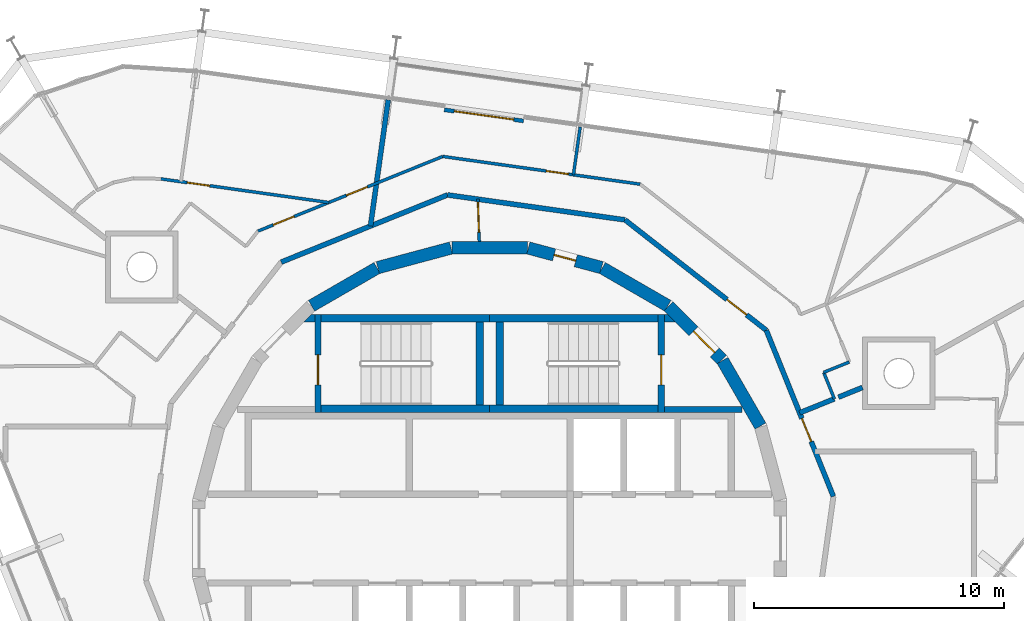
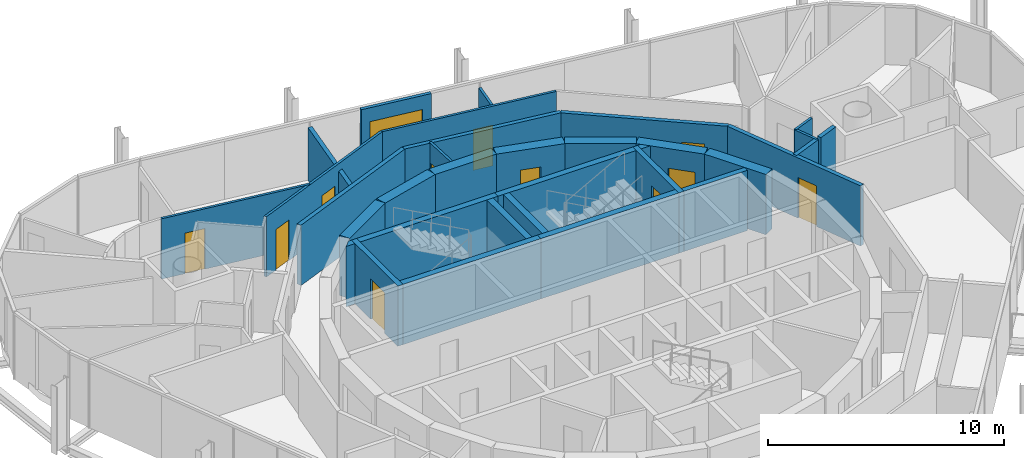
# One storey, part 13 of 15: 33 walls, 12 doors, 12 openings.
"""IFC4 building model written with IfcOpenShell, lengths in metres."""

from ifc_helpers import new_model, si_unit, direction, frame, frame_2d, origin, place, context, subcontext, project, spatial, polyline, rectangle, outline, extrude, material, layer, layer_set, type_object, element, fill, save


model = new_model("IFC4")

# Units and contexts
model_context = context("Model", 3, precision=1e-05, world=origin(), true_north=direction((0.0, 1.0)))
body_context = subcontext(model_context, "Body", "Model", "MODEL_VIEW")
ifc_project = project(units=[si_unit("LENGTHUNIT", "METRE"), si_unit("AREAUNIT", "SQUARE_METRE"), si_unit("VOLUMEUNIT", "CUBIC_METRE"), si_unit("PLANEANGLEUNIT", "RADIAN"), si_unit("MASSUNIT", "GRAM", prefix="KILO")], contexts=[model_context])

# Site, building, storey
site_placement = place(None, origin())
site = spatial("IfcSite", under=ifc_project, at=site_placement, CompositionType="ELEMENT")
building_placement = place(site_placement, origin())
building = spatial("IfcBuilding", under=site, at=building_placement, Name="Spindle Arch Residences", CompositionType="ELEMENT")
storey_placement = place(building_placement, frame((0.0, 0.0, 340.0)))
storey = spatial("IfcBuildingStorey", under=building, at=storey_placement, Name="L87", CompositionType="ELEMENT", Elevation=340.0)

# Wall
ifc_material_1 = material(Name="Concrete C50/60", Category="concrete")
ifc_layer_1 = layer(ifc_material_1, 0.5)
ifc_layer_set_1 = layer_set([ifc_layer_1], Name="Core outline wall 500")
wall_type_1 = type_object("IfcWallType", Name="Core outline wall 500", PredefinedType="SHEAR", material=ifc_layer_set_1)
wall_1_placement = place(storey_placement, frame((10.84521484375, 4.510498046875, 0.0), z_axis=(0.0, 0.0, 1.0), x_axis=(-0.500087131594, 0.865975092491, 0.0)))
element("IfcWall", 1, at=wall_1_placement, inside=storey, type_object=wall_type_1, Name="Core outline wall 8", PredefinedType="SHEAR", context=body_context, shape_type="SweptSolid", body=[
    extrude(rectangle(XDim=3.03271484375, YDim=0.5, at=frame_2d((1.516357421875, 0.0))), origin(), (0.0, 0.0, 1.0), 3.1201171875),
])

# Wall, opening, door
wall_2_placement = place(storey_placement, frame((9.30810546875, 7.163818359375, 0.0), z_axis=(0.0, 0.0, 1.0), x_axis=(-0.707106781187, 0.707106781187, 0.0)))
wall_2 = element("IfcWall", 2, at=wall_2_placement, inside=storey, type_object=wall_type_1, Name="Core outline wall 9", PredefinedType="SHEAR", context=body_context, shape_type="SweptSolid", body=[
    extrude(rectangle(XDim=3.032470703125, YDim=0.5, at=frame_2d((1.51611328125, 0.0))), origin(), (0.0, 0.0, 1.0), 3.1201171875),
])
opening_1_placement = place(wall_2_placement, frame((0.416259765625, 0.0, 0.0)))
opening_1 = element("IfcOpeningElement", 3, at=opening_1_placement, cuts=wall_2, Name="Opening R9A0-AD01", PredefinedType="OPENING", context=body_context, shape_type="SweptSolid", body=[
    extrude(rectangle(XDim=1.199951171875, YDim=2.10009765625, at=frame_2d((0.60009765625, 1.050048828125))), frame((0.0, 0.260009765625, 0.0), z_axis=(0.0, -1.0, 0.0), x_axis=(1.0, 0.0, 0.0)), (0.0, 0.0, 1.0), 0.52001953125),
])
ifc_material_2 = material(Name="Steel, fire-resisting door", Category="steel")
door_type_1 = type_object("IfcDoorType", Name="Stair airlock door 1200x2100", OperationType="SINGLE_SWING_LEFT", PredefinedType="DOOR", material=ifc_material_2)
door_1_placement = place(opening_1_placement, origin())
door_1 = element("IfcDoor", 4, at=door_1_placement, inside=storey, type_object=door_type_1, Name="Stair airlock door R9A0-AD01", OperationType="SINGLE_SWING_RIGHT", OverallHeight=2.10009765625, OverallWidth=1.199951171875, PredefinedType="DOOR", context=body_context, shape_type="SweptSolid", body=[
    extrude(rectangle(XDim=1.199951171875, YDim=2.10009765625, at=frame_2d((0.60009765625, 1.050048828125))), frame((0.0, 0.02490234375, 0.0), z_axis=(0.0, -1.0, 0.0), x_axis=(1.0, 0.0, 0.0)), (0.0, 0.0, 1.0), 0.050048828125),
])
fill(opening_1, door_1)

# Wall
wall_3_placement = place(storey_placement, frame((7.13671875, 9.32861328125, 0.0), z_axis=(0.0, 0.0, 1.0), x_axis=(-0.865975092491, 0.500087131594, 0.0)))
element("IfcWall", 5, at=wall_3_placement, inside=storey, type_object=wall_type_1, Name="Core outline wall 10", PredefinedType="SHEAR", context=body_context, shape_type="SweptSolid", body=[
    extrude(rectangle(XDim=3.03271484375, YDim=0.5, at=frame_2d((1.516357421875, 0.0))), origin(), (0.0, 0.0, 1.0), 3.1201171875),
])

# Wall, opening, door
wall_4_placement = place(storey_placement, frame((4.479248046875, 10.858154296875, 0.0), z_axis=(0.0, 0.0, 1.0), x_axis=(-0.965948410781, 0.258734743916, 0.0)))
wall_4 = element("IfcWall", 6, at=wall_4_placement, inside=storey, type_object=wall_type_1, Name="Core outline wall 11", PredefinedType="SHEAR", context=body_context, shape_type="SweptSolid", body=[
    extrude(rectangle(XDim=3.03271484375, YDim=0.5, at=frame_2d((1.516357421875, 0.0))), origin(), (0.0, 0.0, 1.0), 3.1201171875),
])
opening_2_placement = place(wall_4_placement, frame((1.066162109375, 0.0, 0.0)))
opening_2 = element("IfcOpeningElement", 7, at=opening_2_placement, cuts=wall_4, Name="Opening R9A0-WD11", PredefinedType="OPENING", context=body_context, shape_type="SweptSolid", body=[
    extrude(rectangle(XDim=0.89990234375, YDim=2.10009765625, at=frame_2d((0.449951171875, 1.050048828125))), frame((0.0, 0.260009765625, 0.0), z_axis=(0.0, -1.0, 0.0), x_axis=(1.0, 0.0, 0.0)), (0.0, 0.0, 1.0), 0.52001953125),
])
ifc_material_3 = material(Name="Steel, fire-resisting door", Category="steel")
door_type_2 = type_object("IfcDoorType", Name="Service room door 900x2100", OperationType="SINGLE_SWING_LEFT", PredefinedType="DOOR", material=ifc_material_3)
door_2_placement = place(opening_2_placement, origin())
door_2 = element("IfcDoor", 8, at=door_2_placement, inside=storey, type_object=door_type_2, Name="Service room door R9A0-WD11", OperationType="SINGLE_SWING_LEFT", OverallHeight=2.10009765625, OverallWidth=0.89990234375, PredefinedType="DOOR", context=body_context, shape_type="SweptSolid", body=[
    extrude(rectangle(XDim=0.89990234375, YDim=2.10009765625, at=frame_2d((0.449951171875, 1.050048828125))), frame((0.0, 0.02490234375, 0.0), z_axis=(0.0, -1.0, 0.0), x_axis=(1.0, 0.0, 0.0)), (0.0, 0.0, 1.0), 0.050048828125),
])
fill(opening_2, door_2)

# Walls
for number, where, z_axis, x_axis, name in (
    (9, (1.516357421875, 11.647216796875, 0.0), (0.0, 0.0, 1.0), (-1.0, 0.0, 0.0), "Core outline wall 12"),
    (10, (-1.5498046875, 11.642822265625, 0.0), (0.0, 0.0, 1.0), (-0.965948410781, -0.258734743916, 0.0), "Core outline wall 13"),
    (11, (-4.510498046875, 10.84521484375, 0.0), (0.0, 0.0, 1.0), (-0.865975092491, -0.500087131594, 0.0), "Core outline wall 14"),
):
    element("IfcWall", number, at=place(storey_placement, frame(where, z_axis=z_axis, x_axis=x_axis)), inside=storey, type_object=wall_type_1, Name=name, PredefinedType="SHEAR", context=body_context, shape_type="SweptSolid", body=[
        extrude(rectangle(XDim=3.03271484375, YDim=0.5, at=frame_2d((1.516357421875, 0.0))), origin(), (0.0, 0.0, 1.0), 3.1201171875),
    ])

# Wall, opening, door
ifc_material_4 = material(Name="Plasterboard on steel studs", Category="steel")
ifc_layer_2 = layer(ifc_material_4, 0.1201171875)
ifc_layer_set_2 = layer_set([ifc_layer_2], Name="Corridor division wall 120")
wall_type_2 = type_object("IfcWallType", Name="Corridor division wall 120", PredefinedType="PARTITIONING", material=ifc_layer_set_2)
wall_5_placement = place(storey_placement, frame((-0.474853515625, 13.598388671875, 0.0), z_axis=(0.0, 0.0, 1.0), x_axis=(0.034852521429, -0.999392466326, 0.0)))
wall_5 = element("IfcWall", 12, at=wall_5_placement, inside=storey, type_object=wall_type_2, Name="Corridor division wall R9A0-W001", PredefinedType="PARTITIONING", context=body_context, shape_type="SweptSolid", body=[
    extrude(rectangle(XDim=1.7021484375, YDim=0.1201171875, at=frame_2d((0.85107421875, 0.0))), origin(), (0.0, 0.0, 1.0), 3.1201171875),
])
opening_3_placement = place(wall_5_placement, frame((0.1201171875, 0.0, 0.0)))
opening_3 = element("IfcOpeningElement", 13, at=opening_3_placement, cuts=wall_5, Name="Opening R9A0-CD01", PredefinedType="OPENING", context=body_context, shape_type="SweptSolid", body=[
    extrude(rectangle(XDim=1.199951171875, YDim=2.10009765625, at=frame_2d((0.60009765625, 1.050048828125))), frame((0.0, 0.070068359375, 0.0), z_axis=(0.0, -1.0, 0.0), x_axis=(1.0, 0.0, 0.0)), (0.0, 0.0, 1.0), 0.14013671875),
])
ifc_material_5 = material(Name="Steel, fire-resisting door", Category="steel")
door_type_3 = type_object("IfcDoorType", Name="Corridor division door 1200x2100", OperationType="NOTDEFINED", PredefinedType="DOOR", material=ifc_material_5)
door_3_placement = place(opening_3_placement, origin())
door_3 = element("IfcDoor", 14, at=door_3_placement, inside=storey, type_object=door_type_3, Name="Corridor division door R9A0-CD01", OperationType="DOUBLE_DOOR_SINGLE_SWING", OverallHeight=2.10009765625, OverallWidth=1.199951171875, PredefinedType="DOOR", context=body_context, shape_type="SweptSolid", body=[
    extrude(rectangle(XDim=1.199951171875, YDim=2.10009765625, at=frame_2d((0.60009765625, 1.050048828125))), frame((0.0, 0.02490234375, 0.0), z_axis=(0.0, -1.0, 0.0), x_axis=(1.0, 0.0, 0.0)), (0.0, 0.0, 1.0), 0.050048828125),
])
fill(opening_3, door_3)

ifc_material_6 = material(Name="Calcium silicate block, plastered")
ifc_layer_3 = layer(ifc_material_6, 0.199951171875)
ifc_layer_set_3 = layer_set([ifc_layer_3], Name="Corridor wall 200")
wall_type_3 = type_object("IfcWallType", Name="Corridor wall 200", PredefinedType="STANDARD", material=ifc_layer_set_3)
wall_6_placement = place(storey_placement, frame((11.0791015625, 8.348876953125, 0.0), z_axis=(0.0, 0.0, 1.0), x_axis=(-0.78800478687, 0.615669112324, 0.0)))
wall_6 = element("IfcWall", 15, at=wall_6_placement, inside=storey, type_object=wall_type_3, Name="Corridor wall R9A0-W006", PredefinedType="STANDARD", context=body_context, shape_type="SweptSolid", body=[
    extrude(rectangle(XDim=7.18115234375, YDim=0.199951171875, at=frame_2d((3.590576171875, 0.0))), origin(), (0.0, 0.0, 1.0), 3.1201171875),
])
opening_4_placement = place(wall_6_placement, frame((1.0, 0.0, 0.0)))
opening_4 = element("IfcOpeningElement", 16, at=opening_4_placement, cuts=wall_6, Name="Opening R9A0-FD02", PredefinedType="OPENING", context=body_context, shape_type="SweptSolid", body=[
    extrude(rectangle(XDim=1.0, YDim=2.10009765625, at=frame_2d((0.5, 1.050048828125))), frame((0.0, 0.10986328125, 0.0), z_axis=(0.0, -1.0, 0.0), x_axis=(1.0, 0.0, 0.0)), (0.0, 0.0, 1.0), 0.219970703125),
])
ifc_material_7 = material(Name="Timber, fire-resisting door set", Category="wood")
door_type_4 = type_object("IfcDoorType", Name="Flat entrance door 1000x2100", OperationType="NOTDEFINED", PredefinedType="DOOR", material=ifc_material_7)
door_4_placement = place(opening_4_placement, origin())
door_4 = element("IfcDoor", 17, at=door_4_placement, inside=storey, type_object=door_type_4, Name="Flat entrance door R9A0-FD02", OperationType="SINGLE_SWING_LEFT", OverallHeight=2.10009765625, OverallWidth=1.0, PredefinedType="DOOR", context=body_context, shape_type="SweptSolid", body=[
    extrude(rectangle(XDim=1.0, YDim=2.10009765625, at=frame_2d((0.5, 1.050048828125))), frame((0.0, 0.02490234375, 0.0), z_axis=(0.0, -1.0, 0.0), x_axis=(1.0, 0.0, 0.0)), (0.0, 0.0, 1.0), 0.050048828125),
])
fill(opening_4, door_4)

# Walls
wall_7_placement = place(storey_placement, frame((5.42041015625, 12.77001953125, 0.0), z_axis=(0.0, 0.0, 1.0), x_axis=(-0.990270565508, 0.139155334385, 0.0)))
element("IfcWall", 18, at=wall_7_placement, inside=storey, type_object=wall_type_3, Name="Corridor wall R9A0-W007", PredefinedType="STANDARD", context=body_context, shape_type="SweptSolid", body=[
    extrude(rectangle(XDim=7.180908203125, YDim=0.199951171875, at=frame_2d((3.59033203125, 0.0))), origin(), (0.0, 0.0, 1.0), 3.1201171875),
])
wall_8_placement = place(storey_placement, frame((-1.690673828125, 13.769287109375, 0.0), z_axis=(0.0, 0.0, 1.0), x_axis=(-0.92717916932, -0.374618189599, 0.0)))
element("IfcWall", 19, at=wall_8_placement, inside=storey, type_object=wall_type_3, Name="Corridor wall R9A0-W011", PredefinedType="STANDARD", context=body_context, shape_type="SweptSolid", body=[
    extrude(rectangle(XDim=7.18115234375, YDim=0.199951171875, at=frame_2d((3.590576171875, 0.0))), origin(), (0.0, 0.0, 1.0), 3.1201171875),
])

# Wall, opening, door
ifc_material_8 = material(Name="Calcium silicate block, plastered")
ifc_layer_4 = layer(ifc_material_8, 0.199951171875)
ifc_layer_set_4 = layer_set([ifc_layer_4], Name="Fire-lift lobby bay wall 200")
wall_type_4 = type_object("IfcWallType", Name="Fire-lift lobby bay wall 200", PredefinedType="STANDARD", material=ifc_layer_set_4)
wall_9_placement = place(storey_placement, frame((13.769287109375, 1.690673828125, 0.0), z_axis=(0.0, 0.0, 1.0), x_axis=(-0.374618189599, 0.92717916932, 0.0)))
wall_9 = element("IfcWall", 20, at=wall_9_placement, inside=storey, type_object=wall_type_4, Name="Fire-lift lobby bay wall R9A0-W005", PredefinedType="STANDARD", context=body_context, shape_type="SweptSolid", body=[
    extrude(rectangle(XDim=7.18115234375, YDim=0.199951171875, at=frame_2d((3.590576171875, 0.0))), origin(), (0.0, 0.0, 1.0), 3.1201171875),
])
opening_5_placement = place(wall_9_placement, frame((2.37060546875, 0.0, 0.0)))
opening_5 = element("IfcOpeningElement", 21, at=opening_5_placement, cuts=wall_9, Name="Opening R9A0-FD01", PredefinedType="OPENING", context=body_context, shape_type="SweptSolid", body=[
    extrude(rectangle(XDim=1.0, YDim=2.10009765625, at=frame_2d((0.5, 1.050048828125))), frame((0.0, 0.10986328125, 0.0), z_axis=(0.0, -1.0, 0.0), x_axis=(1.0, 0.0, 0.0)), (0.0, 0.0, 1.0), 0.219970703125),
])
door_5_placement = place(opening_5_placement, origin())
door_5 = element("IfcDoor", 22, at=door_5_placement, inside=storey, type_object=door_type_4, Name="Flat entrance door R9A0-FD01", OperationType="SINGLE_SWING_LEFT", OverallHeight=2.10009765625, OverallWidth=1.0, PredefinedType="DOOR", context=body_context, shape_type="SweptSolid", body=[
    extrude(rectangle(XDim=1.0, YDim=2.10009765625, at=frame_2d((0.5, 1.050048828125))), frame((0.0, 0.02490234375, 0.0), z_axis=(0.0, -1.0, 0.0), x_axis=(1.0, 0.0, 0.0)), (0.0, 0.0, 1.0), 0.050048828125),
])
fill(opening_5, door_5)

# Walls
ifc_material_9 = material(Name="Plasterboard on steel studs", Category="steel")
ifc_layer_5 = layer(ifc_material_9, 0.1201171875)
ifc_layer_set_5 = layer_set([ifc_layer_5], Name="Flat partition 120")
wall_type_5 = type_object("IfcWallType", Name="Flat partition 120", PredefinedType="PARTITIONING", material=ifc_layer_set_5)
wall_10_placement = place(storey_placement, frame((13.80712890625, 5.60107421875, 0.0), z_axis=(0.0, 0.0, 1.0), x_axis=(-0.374480699852, 0.927234708927, 0.0)))
element("IfcWall", 23, at=wall_10_placement, inside=storey, type_object=wall_type_5, Name="Flat partition R9A0-W041", PredefinedType="PARTITIONING", context=body_context, shape_type="SweptSolid", body=[
    extrude(rectangle(XDim=1.1435546875, YDim=0.1201171875, at=frame_2d((0.57177734375, 0.0))), origin(), (0.0, 0.0, 1.0), 3.1201171875),
])
wall_11_placement = place(storey_placement, frame((13.37890625, 6.661376953125, 0.0), z_axis=(0.0, 0.0, 1.0), x_axis=(0.927225655522, 0.374503115797, 0.0)))
element("IfcWall", 24, at=wall_11_placement, inside=storey, type_object=wall_type_5, Name="Flat partition R9A0-W042", PredefinedType="PARTITIONING", context=body_context, shape_type="SweptSolid", body=[
    extrude(rectangle(XDim=1.108154296875, YDim=0.1201171875, at=frame_2d((0.55419921875, 0.0))), origin(), (0.0, 0.0, 1.0), 3.1201171875),
])

# Wall, opening, door
wall_12_placement = place(storey_placement, frame((6.02734375, 14.199462890625, 0.0), z_axis=(0.0, 0.0, 1.0), x_axis=(-0.990271593532, 0.139148018469, 0.0)))
wall_12 = element("IfcWall", 25, at=wall_12_placement, inside=storey, type_object=wall_type_5, Name="Flat partition R9A0-W047", PredefinedType="PARTITIONING", context=body_context, shape_type="SweptSolid", body=[
    extrude(rectangle(XDim=7.98486328125, YDim=0.1201171875, at=frame_2d((3.992431640625, 0.0))), origin(), (0.0, 0.0, 1.0), 3.1201171875),
])
opening_6_placement = place(wall_12_placement, frame((2.898193359375, 0.0, 0.0)))
opening_6 = element("IfcOpeningElement", 26, at=opening_6_placement, cuts=wall_12, Name="Opening R9A0-ID06", PredefinedType="OPENING", context=body_context, shape_type="SweptSolid", body=[
    extrude(rectangle(XDim=0.89990234375, YDim=2.10009765625, at=frame_2d((0.449951171875, 1.050048828125))), frame((0.0, 0.070068359375, 0.0), z_axis=(0.0, -1.0, 0.0), x_axis=(1.0, 0.0, 0.0)), (0.0, 0.0, 1.0), 0.14013671875),
])
ifc_material_10 = material(Name="Timber door set", Category="wood")
door_type_5 = type_object("IfcDoorType", Name="Room door 900x2100", OperationType="NOTDEFINED", PredefinedType="DOOR", material=ifc_material_10)
door_6_placement = place(opening_6_placement, origin())
door_6 = element("IfcDoor", 27, at=door_6_placement, inside=storey, type_object=door_type_5, Name="Room door R9A0-ID06", OperationType="SINGLE_SWING_LEFT", OverallHeight=2.10009765625, OverallWidth=0.89990234375, PredefinedType="DOOR", context=body_context, shape_type="SweptSolid", body=[
    extrude(rectangle(XDim=0.89990234375, YDim=2.10009765625, at=frame_2d((0.449951171875, 1.050048828125))), frame((0.0, 0.02490234375, 0.0), z_axis=(0.0, -1.0, 0.0), x_axis=(1.0, 0.0, 0.0)), (0.0, 0.0, 1.0), 0.050048828125),
])
fill(opening_6, door_6)

# Wall, openings, doors
wall_13_placement = place(storey_placement, frame((-1.8798828125, 15.310546875, 0.0), z_axis=(0.0, 0.0, 1.0), x_axis=(-0.927184866592, -0.374604088557, 0.0)))
wall_13 = element("IfcWall", 28, at=wall_13_placement, inside=storey, type_object=wall_type_5, Name="Flat partition R9A0-W048", PredefinedType="PARTITIONING", context=body_context, shape_type="SweptSolid", body=[
    extrude(rectangle(XDim=7.985107421875, YDim=0.1201171875, at=frame_2d((3.99267578125, 0.0))), origin(), (0.0, 0.0, 1.0), 3.1201171875),
])
opening_7_placement = place(wall_13_placement, frame((3.26220703125, 0.0, 0.0)))
opening_7 = element("IfcOpeningElement", 29, at=opening_7_placement, cuts=wall_13, Name="Opening R9A0-ID08", PredefinedType="OPENING", context=body_context, shape_type="SweptSolid", body=[
    extrude(rectangle(XDim=0.89990234375, YDim=2.10009765625, at=frame_2d((0.449951171875, 1.050048828125))), frame((0.0, 0.070068359375, 0.0), z_axis=(0.0, -1.0, 0.0), x_axis=(1.0, 0.0, 0.0)), (0.0, 0.0, 1.0), 0.14013671875),
])
opening_8_placement = place(wall_13_placement, frame((6.423095703125, 0.0, 0.0)))
opening_8 = element("IfcOpeningElement", 30, at=opening_8_placement, cuts=wall_13, Name="Opening R9A0-ID09", PredefinedType="OPENING", context=body_context, shape_type="SweptSolid", body=[
    extrude(rectangle(XDim=0.89990234375, YDim=2.10009765625, at=frame_2d((0.449951171875, 1.050048828125))), frame((0.0, 0.070068359375, 0.0), z_axis=(0.0, -1.0, 0.0), x_axis=(1.0, 0.0, 0.0)), (0.0, 0.0, 1.0), 0.14013671875),
])
door_7_placement = place(opening_7_placement, origin())
door_7 = element("IfcDoor", 31, at=door_7_placement, inside=storey, type_object=door_type_5, Name="Room door R9A0-ID08", OperationType="SINGLE_SWING_RIGHT", OverallHeight=2.10009765625, OverallWidth=0.89990234375, PredefinedType="DOOR", context=body_context, shape_type="SweptSolid", body=[
    extrude(rectangle(XDim=0.89990234375, YDim=2.10009765625, at=frame_2d((0.449951171875, 1.050048828125))), frame((0.0, 0.02490234375, 0.0), z_axis=(0.0, -1.0, 0.0), x_axis=(1.0, 0.0, 0.0)), (0.0, 0.0, 1.0), 0.050048828125),
])
fill(opening_7, door_7)
door_8_placement = place(opening_8_placement, origin())
door_8 = element("IfcDoor", 32, at=door_8_placement, inside=storey, type_object=door_type_5, Name="Room door R9A0-ID09", OperationType="SINGLE_SWING_RIGHT", OverallHeight=2.10009765625, OverallWidth=0.89990234375, PredefinedType="DOOR", context=body_context, shape_type="SweptSolid", body=[
    extrude(rectangle(XDim=0.89990234375, YDim=2.10009765625, at=frame_2d((0.449951171875, 1.050048828125))), frame((0.0, 0.02490234375, 0.0), z_axis=(0.0, -1.0, 0.0), x_axis=(1.0, 0.0, 0.0)), (0.0, 0.0, 1.0), 0.050048828125),
])
fill(opening_8, door_8)

# Wall, opening, door
wall_14_placement = place(storey_placement, frame((-13.1748046875, 14.412353515625, 0.0), z_axis=(0.0, 0.0, 1.0), x_axis=(0.990264549393, -0.139198140128, 0.0)))
wall_14 = element("IfcWall", 33, at=wall_14_placement, inside=storey, type_object=wall_type_5, Name="Flat partition R9A0-W057", PredefinedType="PARTITIONING", context=body_context, shape_type="SweptSolid", body=[
    extrude(rectangle(XDim=6.79638671875, YDim=0.1201171875, at=frame_2d((3.398193359375, 0.0))), origin(), (0.0, 0.0, 1.0), 3.1201171875),
])
opening_9_placement = place(wall_14_placement, frame((1.075439453125, 0.0, 0.0)))
opening_9 = element("IfcOpeningElement", 34, at=opening_9_placement, cuts=wall_14, Name="Opening R9A0-ID11", PredefinedType="OPENING", context=body_context, shape_type="SweptSolid", body=[
    extrude(rectangle(XDim=0.89990234375, YDim=2.10009765625, at=frame_2d((0.449951171875, 1.050048828125))), frame((0.0, 0.070068359375, 0.0), z_axis=(0.0, -1.0, 0.0), x_axis=(1.0, 0.0, 0.0)), (0.0, 0.0, 1.0), 0.14013671875),
])
door_9_placement = place(opening_9_placement, origin())
door_9 = element("IfcDoor", 35, at=door_9_placement, inside=storey, type_object=door_type_5, Name="Room door R9A0-ID11", OperationType="SINGLE_SWING_LEFT", OverallHeight=2.10009765625, OverallWidth=0.89990234375, PredefinedType="DOOR", context=body_context, shape_type="SweptSolid", body=[
    extrude(rectangle(XDim=0.89990234375, YDim=2.10009765625, at=frame_2d((0.449951171875, 1.050048828125))), frame((0.0, 0.02490234375, 0.0), z_axis=(0.0, -1.0, 0.0), x_axis=(1.0, 0.0, 0.0)), (0.0, 0.0, 1.0), 0.050048828125),
])
fill(opening_9, door_9)

# Walls
ifc_material_11 = material(Name="Plasterboard on steel studs", Category="steel")
ifc_layer_6 = layer(ifc_material_11, 0.1201171875)
ifc_layer_set_6 = layer_set([ifc_layer_6], Name="Flat partition 120 under beam 2730")
wall_type_6 = type_object("IfcWallType", Name="Flat partition 120 under beam 2730", PredefinedType="PARTITIONING", material=ifc_layer_set_6)
wall_15_placement = place(storey_placement, frame((3.625, 16.494384765625, 0.0), z_axis=(0.0, 0.0, 1.0), x_axis=(-0.139181494832, -0.990266889023, 0.0)))
element("IfcWall", 36, at=wall_15_placement, inside=storey, type_object=wall_type_6, Name="Flat partition R9A0-W052", PredefinedType="PARTITIONING", context=body_context, shape_type="SweptSolid", body=[
    extrude(rectangle(XDim=1.938232421875, YDim=0.1201171875, at=frame_2d((0.96923828125, 0.0))), origin(), (0.0, 0.0, 1.0), 2.72998046875),
])
ifc_material_12 = material(Name="Calcium silicate block, plastered")
ifc_layer_7 = layer(ifc_material_12, 0.199951171875)
ifc_layer_set_7 = layer_set([ifc_layer_7], Name="Flat party wall 200")
wall_type_7 = type_object("IfcWallType", Name="Flat party wall 200", PredefinedType="STANDARD", material=ifc_layer_set_7)
wall_16_placement = place(storey_placement, frame((13.80712890625, 5.60107421875, 0.0), z_axis=(0.0, 0.0, 1.0), x_axis=(-0.927202702405, -0.374559939999, 0.0)))
element("IfcWall", 37, at=wall_16_placement, inside=storey, type_object=wall_type_7, Name="Flat party wall R9A0-W023", PredefinedType="STANDARD", context=body_context, shape_type="SweptSolid", body=[
    extrude(rectangle(XDim=1.499755859375, YDim=0.199951171875, at=frame_2d((0.75, 0.0))), origin(), (0.0, 0.0, 1.0), 3.1201171875),
])
wall_17_placement = place(storey_placement, frame((14.93359375, 6.05615234375, 0.0), z_axis=(0.0, 0.0, 1.0), x_axis=(-0.927219802432, -0.374517607032, 0.0)))
element("IfcWall", 38, at=wall_17_placement, inside=storey, type_object=wall_type_7, Name="Flat party wall R9A0-W024", PredefinedType="STANDARD", context=body_context, shape_type="SweptSolid", body=[
    extrude(rectangle(XDim=1.035888671875, YDim=0.199951171875, at=frame_2d((0.51806640625, 0.0))), origin(), (0.0, 0.0, 1.0), 3.1201171875),
])
ifc_material_13 = material(Name="Calcium silicate block, plastered")
ifc_layer_8 = layer(ifc_material_13, 0.199951171875)
ifc_layer_set_8 = layer_set([ifc_layer_8], Name="Flat party wall 200 under beam 2730")
wall_type_8 = type_object("IfcWallType", Name="Flat party wall 200 under beam 2730", PredefinedType="STANDARD", material=ifc_layer_set_8)
wall_18_placement = place(storey_placement, frame((-4.06494140625, 17.5751953125, 0.0), z_axis=(0.0, 0.0, 1.0), x_axis=(-0.139163175955, -0.990269463559, 0.0)))
element("IfcWall", 39, at=wall_18_placement, inside=storey, type_object=wall_type_8, Name="Flat party wall R9A0-W026", PredefinedType="STANDARD", context=body_context, shape_type="SweptSolid", body=[
    extrude(rectangle(XDim=5.1015625, YDim=0.199951171875, at=frame_2d((2.55078125, 0.0))), origin(), (0.0, 0.0, 1.0), 2.72998046875),
])

# Wall, opening, door
ifc_material_14 = material(Name="Non-combustible mineral wool insulated aluminium faced external wall (K0)", Category="aluminium")
ifc_layer_9 = layer(ifc_material_14, 0.159912109375)
ifc_layer_set_9 = layer_set([ifc_layer_9], Name="Insulated external wall panel 160")
wall_type_9 = type_object("IfcWallType", Name="Insulated external wall panel 160", PredefinedType="STANDARD", material=ifc_layer_set_9)
wall_19_placement = place(storey_placement, frame((1.353515625, 16.73291015625, 0.0), z_axis=(0.0, 0.0, 1.0), x_axis=(-0.990270382149, 0.139156639217, 0.0)))
wall_19 = element("IfcWall", 40, at=wall_19_placement, inside=storey, type_object=wall_type_9, Name="External wall L87 bay 7", PredefinedType="STANDARD", context=body_context, shape_type="SweptSolid", body=[
    extrude(rectangle(XDim=3.2001953125, YDim=0.159912109375, at=frame_2d((1.60009765625, 0.0))), origin(), (0.0, 0.0, 1.0), 3.1201171875),
])
opening_10_placement = place(wall_19_placement, frame((0.39990234375, 0.0, 0.0)))
opening_10 = element("IfcOpeningElement", 41, at=opening_10_placement, cuts=wall_19, Name="Opening BD07", PredefinedType="OPENING", context=body_context, shape_type="SweptSolid", body=[
    extrude(rectangle(XDim=2.39990234375, YDim=2.39990234375, at=frame_2d((1.199951171875, 1.199951171875))), frame((0.0, 0.08984375, 0.0), z_axis=(0.0, -1.0, 0.0), x_axis=(1.0, 0.0, 0.0)), (0.0, 0.0, 1.0), 0.179931640625),
])
ifc_material_15 = material(Name="Bronze aluminium frame, tinted double glazing", Category="aluminium")
door_type_6 = type_object("IfcDoorType", Name="Sliding glazed balcony door 2400x2400", OperationType="DOUBLE_DOOR_SLIDING", PredefinedType="DOOR", material=ifc_material_15)
door_10_placement = place(opening_10_placement, origin())
door_10 = element("IfcDoor", 42, at=door_10_placement, inside=storey, type_object=door_type_6, Name="Balcony door BD07", OperationType="DOUBLE_DOOR_SLIDING", OverallHeight=2.39990234375, OverallWidth=2.39990234375, PredefinedType="DOOR", context=body_context, shape_type="SweptSolid", body=[
    extrude(rectangle(XDim=2.39990234375, YDim=2.39990234375, at=frame_2d((1.199951171875, 1.199951171875))), frame((0.0, 0.02490234375, 0.0), z_axis=(0.0, -1.0, 0.0), x_axis=(1.0, 0.0, 0.0)), (0.0, 0.0, 1.0), 0.050048828125),
])
fill(opening_10, door_10)

# Walls
ifc_material_16 = material(Name="Concrete C40/50", Category="concrete")
ifc_layer_10 = layer(ifc_material_16, 0.25)
ifc_layer_set_10 = layer_set([ifc_layer_10], Name="Stair airlock wall 250")
wall_type_10 = type_object("IfcWallType", Name="Stair airlock wall 250", PredefinedType="SHEAR", material=ifc_layer_set_10)
wall_20_placement = place(storey_placement, frame((7.0, 5.175048828125, 0.0), z_axis=(0.0, 0.0, 1.0), x_axis=(1.0, 0.0, 0.0)))
element("IfcWall", 43, at=wall_20_placement, inside=storey, type_object=wall_type_10, Name="Stair ST-1 airlock wall S", PredefinedType="SHEAR", context=body_context, shape_type="SweptSolid", body=[
    extrude(rectangle(XDim=3.10009765625, YDim=0.25, at=frame_2d((1.550048828125, 0.0))), origin(), (0.0, 0.0, 1.0), 3.1201171875),
])
ifc_material_17 = material(Name="Concrete C40/50", Category="concrete")
wall_type_11 = type_object("IfcWallType", Name="Stair airlock wall profile", PredefinedType="SHEAR", material=ifc_material_17)
wall_21_placement = place(storey_placement, origin())
element("IfcWall", 44, at=wall_21_placement, inside=storey, type_object=wall_type_11, Name="Stair ST-1 airlock wall N", PredefinedType="SHEAR", context=body_context, shape_type="SweptSolid", body=[
    extrude(outline(polyline([(7.4482421875, 8.669921875), (7.0, 8.669921875), (7.0, 8.969970703125), (7.148193359375, 8.969970703125), (7.4482421875, 8.669921875)])), origin(), (0.0, 0.0, 1.0), 3.1201171875),
])
wall_22_placement = place(storey_placement, origin())
element("IfcWall", 45, at=wall_22_placement, inside=storey, type_object=wall_type_11, Name="Stair ST-2 airlock wall N", PredefinedType="SHEAR", context=body_context, shape_type="SweptSolid", body=[
    extrude(outline(polyline([(-7.148193359375, 8.969970703125), (-7.0, 8.969970703125), (-7.0, 8.669921875), (-7.4482421875, 8.669921875), (-7.148193359375, 8.969970703125)])), origin(), (0.0, 0.0, 1.0), 3.1201171875),
])

# Wall, opening, door
ifc_material_18 = material(Name="Concrete C50/60", Category="concrete")
ifc_layer_11 = layer(ifc_material_18, 0.25)
ifc_layer_set_11 = layer_set([ifc_layer_11], Name="Stair enclosure wall 250")
wall_type_12 = type_object("IfcWallType", Name="Stair enclosure wall 250", PredefinedType="SHEAR", material=ifc_layer_set_11)
wall_23_placement = place(storey_placement, frame((6.875, 5.050048828125, 0.0), z_axis=(0.0, 0.0, 1.0), x_axis=(0.0, 1.0, 0.0)))
wall_23 = element("IfcWall", 46, at=wall_23_placement, inside=storey, type_object=wall_type_12, Name="Stair ST-1 door wall", PredefinedType="SHEAR", context=body_context, shape_type="SweptSolid", body=[
    extrude(rectangle(XDim=3.919921875, YDim=0.25, at=frame_2d((1.9599609375, 0.0))), origin(), (0.0, 0.0, 1.0), 3.1201171875),
])
opening_11_placement = place(wall_23_placement, frame((1.110107421875, 0.0, 0.0)))
opening_11 = element("IfcOpeningElement", 47, at=opening_11_placement, cuts=wall_23, Name="Opening R9A0-SD01", PredefinedType="OPENING", context=body_context, shape_type="SweptSolid", body=[
    extrude(rectangle(XDim=1.199951171875, YDim=2.10009765625, at=frame_2d((0.60009765625, 1.050048828125))), frame((0.0, 0.135009765625, 0.0), z_axis=(0.0, -1.0, 0.0), x_axis=(1.0, 0.0, 0.0)), (0.0, 0.0, 1.0), 0.27001953125),
])
ifc_material_19 = material(Name="Steel, fire-resisting door", Category="steel")
door_type_7 = type_object("IfcDoorType", Name="Stair door 1200x2100", OperationType="SINGLE_SWING_RIGHT", PredefinedType="DOOR", material=ifc_material_19)
door_11_placement = place(opening_11_placement, origin())
door_11 = element("IfcDoor", 48, at=door_11_placement, inside=storey, type_object=door_type_7, Name="Stair door R9A0-SD01", OperationType="SINGLE_SWING_LEFT", OverallHeight=2.10009765625, OverallWidth=1.199951171875, PredefinedType="DOOR", context=body_context, shape_type="SweptSolid", body=[
    extrude(rectangle(XDim=1.199951171875, YDim=2.10009765625, at=frame_2d((0.60009765625, 1.050048828125))), frame((0.0, 0.02490234375, 0.0), z_axis=(0.0, -1.0, 0.0), x_axis=(1.0, 0.0, 0.0)), (0.0, 0.0, 1.0), 0.050048828125),
])
fill(opening_11, door_11)

wall_24_placement = place(storey_placement, frame((-6.875, 8.969970703125, 0.0), z_axis=(0.0, 0.0, 1.0), x_axis=(0.0, -1.0, 0.0)))
wall_24 = element("IfcWall", 49, at=wall_24_placement, inside=storey, type_object=wall_type_12, Name="Stair ST-2 door wall", PredefinedType="SHEAR", context=body_context, shape_type="SweptSolid", body=[
    extrude(rectangle(XDim=3.919921875, YDim=0.25, at=frame_2d((1.9599609375, 0.0))), origin(), (0.0, 0.0, 1.0), 3.1201171875),
])
opening_12_placement = place(wall_24_placement, frame((1.610107421875, 0.0, 0.0)))
opening_12 = element("IfcOpeningElement", 50, at=opening_12_placement, cuts=wall_24, Name="Opening R9A0-SD02", PredefinedType="OPENING", context=body_context, shape_type="SweptSolid", body=[
    extrude(rectangle(XDim=1.199951171875, YDim=2.10009765625, at=frame_2d((0.60009765625, 1.050048828125))), frame((0.0, 0.135009765625, 0.0), z_axis=(0.0, -1.0, 0.0), x_axis=(1.0, 0.0, 0.0)), (0.0, 0.0, 1.0), 0.27001953125),
])
door_12_placement = place(opening_12_placement, origin())
door_12 = element("IfcDoor", 51, at=door_12_placement, inside=storey, type_object=door_type_7, Name="Stair door R9A0-SD02", OperationType="SINGLE_SWING_LEFT", OverallHeight=2.10009765625, OverallWidth=1.199951171875, PredefinedType="DOOR", context=body_context, shape_type="SweptSolid", body=[
    extrude(rectangle(XDim=1.199951171875, YDim=2.10009765625, at=frame_2d((0.60009765625, 1.050048828125))), frame((0.0, 0.02490234375, 0.0), z_axis=(0.0, -1.0, 0.0), x_axis=(1.0, 0.0, 0.0)), (0.0, 0.0, 1.0), 0.050048828125),
])
fill(opening_12, door_12)

# Walls
ifc_material_20 = material(Name="Concrete C50/60", Category="concrete")
ifc_layer_12 = layer(ifc_material_20, 0.300048828125)
ifc_layer_set_12 = layer_set([ifc_layer_12], Name="Stair enclosure wall 300")
wall_type_13 = type_object("IfcWallType", Name="Stair enclosure wall 300", PredefinedType="SHEAR", material=ifc_layer_set_12)
for number, where, z_axis, x_axis, name in (
    (52, (0.0, 5.199951171875, 0.0), (0.0, 0.0, 1.0), (1.0, 0.0, 0.0), "Stair ST-1 enclosure wall S"),
    (53, (0.0, 8.820068359375, 0.0), (0.0, 0.0, 1.0), (1.0, 0.0, 0.0), "Stair ST-1 enclosure wall N"),
):
    element("IfcWall", number, at=place(storey_placement, frame(where, z_axis=z_axis, x_axis=x_axis)), inside=storey, type_object=wall_type_13, Name=name, PredefinedType="SHEAR", context=body_context, shape_type="SweptSolid", body=[
        extrude(rectangle(XDim=6.75, YDim=0.300048828125, at=frame_2d((3.375, 0.0))), origin(), (0.0, 0.0, 1.0), 3.1201171875),
    ])
wall_25_placement = place(storey_placement, frame((0.39990234375, 5.35009765625, 0.0), z_axis=(0.0, 0.0, 1.0), x_axis=(0.0, 1.0, 0.0)))
element("IfcWall", 54, at=wall_25_placement, inside=storey, type_object=wall_type_13, Name="Stair ST-1 enclosure wall F", PredefinedType="SHEAR", context=body_context, shape_type="SweptSolid", body=[
    extrude(rectangle(XDim=3.31982421875, YDim=0.300048828125, at=frame_2d((1.659912109375, 0.0))), origin(), (0.0, 0.0, 1.0), 3.1201171875),
])
for number, where, z_axis, x_axis, name in (
    (55, (-6.75, 5.199951171875, 0.0), (0.0, 0.0, 1.0), (1.0, 0.0, 0.0), "Stair ST-2 enclosure wall S"),
    (56, (-6.75, 8.820068359375, 0.0), (0.0, 0.0, 1.0), (1.0, 0.0, 0.0), "Stair ST-2 enclosure wall N"),
):
    element("IfcWall", number, at=place(storey_placement, frame(where, z_axis=z_axis, x_axis=x_axis)), inside=storey, type_object=wall_type_13, Name=name, PredefinedType="SHEAR", context=body_context, shape_type="SweptSolid", body=[
        extrude(rectangle(XDim=6.75, YDim=0.300048828125, at=frame_2d((3.375, 0.0))), origin(), (0.0, 0.0, 1.0), 3.1201171875),
    ])
wall_26_placement = place(storey_placement, frame((-0.39990234375, 5.35009765625, 0.0), z_axis=(0.0, 0.0, 1.0), x_axis=(0.0, 1.0, 0.0)))
element("IfcWall", 57, at=wall_26_placement, inside=storey, type_object=wall_type_13, Name="Stair ST-2 enclosure wall F", PredefinedType="SHEAR", context=body_context, shape_type="SweptSolid", body=[
    extrude(rectangle(XDim=3.31982421875, YDim=0.300048828125, at=frame_2d((1.659912109375, 0.0))), origin(), (0.0, 0.0, 1.0), 3.1201171875),
])

save(model, "model.ifc")
